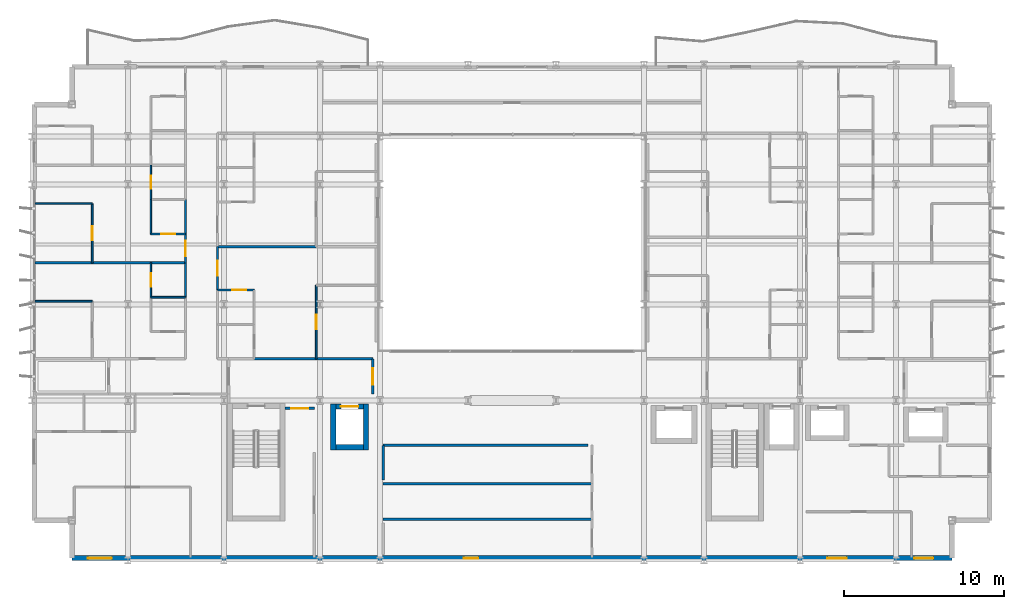
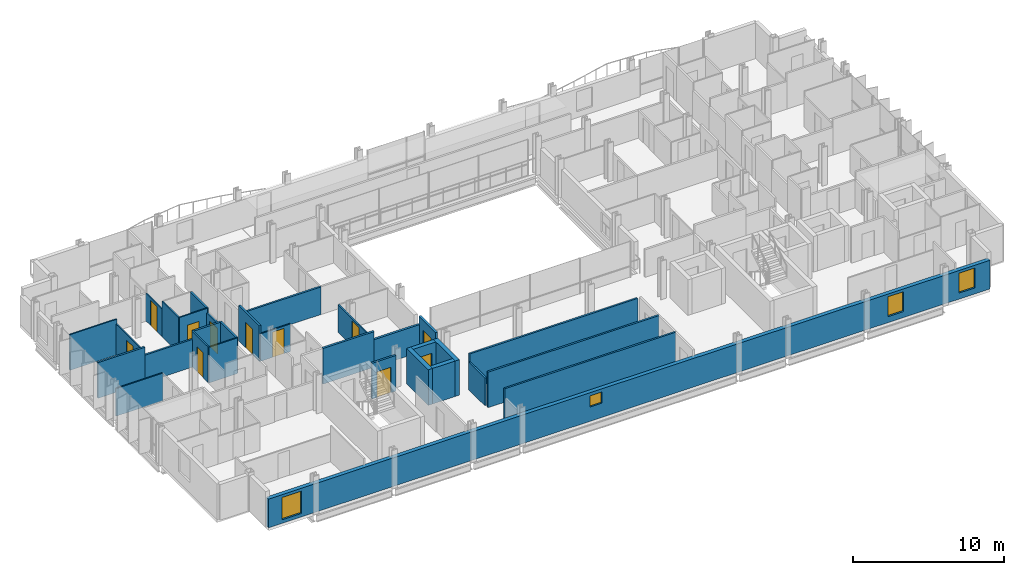
# One storey, part 28 of 39: 31 walls, 11 doors, 4 windows, 15 openings.
"""IFC4 building model written with IfcOpenShell, lengths in metres."""

from ifc_helpers import new_model, si_unit, direction, frame, frame_2d, origin, place, context, subcontext, project, spatial, rectangle, extrude, material, layer, layer_set, type_object, element, fill, save


model = new_model("IFC4")

# Units and contexts
model_context = context("Model", 3, precision=1e-05, world=origin(), true_north=direction((0.0, 1.0)))
body_context = subcontext(model_context, "Body", "Model", "MODEL_VIEW")
ifc_project = project(units=[si_unit("LENGTHUNIT", "METRE"), si_unit("AREAUNIT", "SQUARE_METRE"), si_unit("VOLUMEUNIT", "CUBIC_METRE"), si_unit("PLANEANGLEUNIT", "RADIAN"), si_unit("MASSUNIT", "GRAM", prefix="KILO")], contexts=[model_context])

# Site, building, storey
site_placement = place(None, origin())
site = spatial("IfcSite", under=ifc_project, at=site_placement, CompositionType="ELEMENT")
building_placement = place(site_placement, origin())
building = spatial("IfcBuilding", under=site, at=building_placement, Name="Brevholm Reach", CompositionType="ELEMENT")
storey_placement = place(building_placement, frame((0.0, 0.0, 34.199951171875)))
storey = spatial("IfcBuildingStorey", under=building, at=storey_placement, Name="L08", CompositionType="ELEMENT", Elevation=34.199951171875)

# Walls
ifc_material_1 = material(Name="Concrete C60/75", Category="concrete")
ifc_layer_1 = layer(ifc_material_1, 0.320068359375)
ifc_layer_set_1 = layer_set([ifc_layer_1], Name="Concrete C60/75")
wall_type_1 = type_object("IfcWallType", Name="WAL-COR-320", PredefinedType="SHEAR", material=ifc_layer_set_1)
for number, where, z_axis, x_axis, name in (
    (1, (18.830078125, 6.919921875, 0.0), (0.0, 0.0, 1.0), (0.0, 1.0, 0.0), "L08 Lift FFL-1 Shaft Wall W"),
    (2, (20.8701171875, 6.919921875, 0.0), (0.0, 0.0, 1.0), (0.0, 1.0, 0.0), "L08 Lift FFL-1 Shaft Wall E"),
):
    element("IfcWall", number, at=place(storey_placement, frame(where, z_axis=z_axis, x_axis=x_axis)), inside=storey, type_object=wall_type_1, Name=name, PredefinedType="SHEAR", context=body_context, shape_type="SweptSolid", body=[
        extrude(rectangle(XDim=2.860107421875, YDim=0.320068359375, at=frame_2d((1.43017578125, 0.0))), origin(), (0.0, 0.0, 1.0), 2.8701171875),
    ])
wall_1_placement = place(storey_placement, frame((18.989990234375, 7.080078125, 0.0), z_axis=(0.0, 0.0, 1.0), x_axis=(1.0, 0.0, 0.0)))
element("IfcWall", 3, at=wall_1_placement, inside=storey, type_object=wall_type_1, Name="L08 Lift FFL-1 Shaft Wall S", PredefinedType="SHEAR", context=body_context, shape_type="SweptSolid", body=[
    extrude(rectangle(XDim=1.719970703125, YDim=0.320068359375, at=frame_2d((0.85986328125, 0.0))), origin(), (0.0, 0.0, 1.0), 2.8701171875),
])

# Wall, opening, door
wall_2_placement = place(storey_placement, frame((18.989990234375, 9.6201171875, 0.0), z_axis=(0.0, 0.0, 1.0), x_axis=(1.0, 0.0, 0.0)))
wall_2 = element("IfcWall", 4, at=wall_2_placement, inside=storey, type_object=wall_type_1, Name="L08 Lift FFL-1 Shaft Wall N", PredefinedType="SHEAR", context=body_context, shape_type="SweptSolid", body=[
    extrude(rectangle(XDim=1.719970703125, YDim=0.320068359375, at=frame_2d((0.85986328125, 0.0))), origin(), (0.0, 0.0, 1.0), 2.8701171875),
])
opening_1_placement = place(wall_2_placement, frame((0.31005859375, 0.0, 0.0)))
opening_1 = element("IfcOpeningElement", 5, at=opening_1_placement, cuts=wall_2, Name="Opening LD-FFL-1", PredefinedType="OPENING", context=body_context, shape_type="SweptSolid", body=[
    extrude(rectangle(XDim=1.10009765625, YDim=2.06005859375, at=frame_2d((0.550048828125, 1.030029296875))), frame((0.0, 0.169921875, 0.0), z_axis=(0.0, -1.0, 0.0), x_axis=(1.0, 0.0, 0.0)), (0.0, 0.0, 1.0), 0.340087890625),
])
ifc_material_2 = material(Name="Brushed Stainless Steel Fire-Rated Sliding Lift Door", Category="steel")
door_type_1 = type_object("IfcDoorType", Name="DOR-LFT-1100", OperationType="NOTDEFINED", PredefinedType="DOOR", material=ifc_material_2)
door_1_placement = place(opening_1_placement, origin())
door_1 = element("IfcDoor", 6, at=door_1_placement, inside=storey, type_object=door_type_1, Name="L08 Lift FFL-1 Sliding Landing Door", OperationType="SLIDING_TO_RIGHT", OverallHeight=2.06005859375, OverallWidth=1.10009765625, PredefinedType="DOOR", context=body_context, shape_type="SweptSolid", body=[
    extrude(rectangle(XDim=1.10009765625, YDim=2.06005859375, at=frame_2d((0.550048828125, 1.030029296875))), frame((0.0, 0.02490234375, 0.0), z_axis=(0.0, -1.0, 0.0), x_axis=(1.0, 0.0, 0.0)), (0.0, 0.0, 1.0), 0.050048828125),
])
fill(opening_1, door_1)

# Wall, openings, windows
ifc_material_3 = material(Name="Concrete C40/50", Category="concrete")
ifc_layer_2 = layer(ifc_material_3, 0.300048828125)
ifc_layer_set_2 = layer_set([ifc_layer_2], Name="Concrete C40/50")
wall_type_2 = type_object("IfcWallType", Name="WAL-EXT-300", PredefinedType="STANDARD", material=ifc_layer_set_2)
wall_3_placement = place(storey_placement, frame((2.5, 0.14990234375, 0.0), z_axis=(0.0, 0.0, 1.0), x_axis=(1.0, 0.0, 0.0)))
wall_3 = element("IfcWall", 7, at=wall_3_placement, inside=storey, type_object=wall_type_2, Name="L08 Facade Wall WAL-L08-S", PredefinedType="STANDARD", context=body_context, shape_type="SweptSolid", body=[
    extrude(rectangle(XDim=55.0, YDim=0.300048828125, at=frame_2d((27.5, 0.0))), origin(), (0.0, 0.0, 1.0), 2.3056640625),
])
opening_2_placement = place(wall_3_placement, frame((1.0, 0.0, 0.284912109375)))
opening_2 = element("IfcOpeningElement", 8, at=opening_2_placement, cuts=wall_3, Name="Opening WN-05", PredefinedType="OPENING", context=body_context, shape_type="SweptSolid", body=[
    extrude(rectangle(XDim=1.5, YDim=1.800048828125, at=frame_2d((0.75, 0.89990234375))), frame((0.0, 0.159912109375, 0.0), z_axis=(0.0, -1.0, 0.0), x_axis=(1.0, 0.0, 0.0)), (0.0, 0.0, 1.0), 0.320068359375),
])
opening_3_placement = place(wall_3_placement, frame((24.5, 0.0, 1.14990234375)))
opening_3 = element("IfcOpeningElement", 9, at=opening_3_placement, cuts=wall_3, Name="Opening WN-09", PredefinedType="OPENING", context=body_context, shape_type="SweptSolid", body=[
    extrude(rectangle(XDim=0.89990234375, YDim=0.89990234375, at=frame_2d((0.449951171875, 0.449951171875))), frame((0.0, 0.159912109375, 0.0), z_axis=(0.0, -1.0, 0.0), x_axis=(1.0, 0.0, 0.0)), (0.0, 0.0, 1.0), 0.320068359375),
])
opening_4_placement = place(wall_3_placement, frame((47.199951171875, 0.0, 0.485107421875)))
opening_4 = element("IfcOpeningElement", 10, at=opening_4_placement, cuts=wall_3, Name="Opening WN-08", PredefinedType="OPENING", context=body_context, shape_type="SweptSolid", body=[
    extrude(rectangle(XDim=1.199951171875, YDim=1.60009765625, at=frame_2d((0.60009765625, 0.800048828125))), frame((0.0, 0.159912109375, 0.0), z_axis=(0.0, -1.0, 0.0), x_axis=(1.0, 0.0, 0.0)), (0.0, 0.0, 1.0), 0.320068359375),
])
opening_5_placement = place(wall_3_placement, frame((52.6298828125, 0.0, 0.485107421875)))
opening_5 = element("IfcOpeningElement", 11, at=opening_5_placement, cuts=wall_3, Name="Opening WN-08", PredefinedType="OPENING", context=body_context, shape_type="SweptSolid", body=[
    extrude(rectangle(XDim=1.199951171875, YDim=1.60009765625, at=frame_2d((0.60009765625, 0.800048828125))), frame((0.0, 0.159912109375, 0.0), z_axis=(0.0, -1.0, 0.0), x_axis=(1.0, 0.0, 0.0)), (0.0, 0.0, 1.0), 0.320068359375),
])
ifc_material_4 = material(Name="Dark Anodised Aluminium and Solar-Control IGU Glass", Category="aluminium")
window_type_1 = type_object("IfcWindowType", Name="WIN-POR-0900", PartitioningType="SINGLE_PANEL", PredefinedType="WINDOW", material=ifc_material_4)
window_1_placement = place(opening_3_placement, origin())
window_1 = element("IfcWindow", 12, at=window_1_placement, inside=storey, type_object=window_type_1, Name="L08 Window WIN-L08-S-POR", OverallHeight=0.89990234375, OverallWidth=0.89990234375, PartitioningType="SINGLE_PANEL", PredefinedType="WINDOW", context=body_context, shape_type="SweptSolid", body=[
    extrude(rectangle(XDim=0.89990234375, YDim=0.89990234375, at=frame_2d((0.449951171875, 0.449951171875))), frame((0.0, 0.030029296875, 0.0), z_axis=(0.0, -1.0, 0.0), x_axis=(1.0, 0.0, 0.0)), (0.0, 0.0, 1.0), 0.06005859375),
])
fill(opening_3, window_1)
ifc_material_5 = material(Name="Dark Anodised Aluminium and Solar-Control IGU Glass", Category="aluminium")
window_type_2 = type_object("IfcWindowType", Name="WIN-RES-1200", PartitioningType="SINGLE_PANEL", PredefinedType="WINDOW", material=ifc_material_5)
window_2_placement = place(opening_4_placement, origin())
window_2 = element("IfcWindow", 13, at=window_2_placement, inside=storey, type_object=window_type_2, Name="L08 Window WIN-L08-S-E1", OverallHeight=1.60009765625, OverallWidth=1.199951171875, PartitioningType="SINGLE_PANEL", PredefinedType="WINDOW", context=body_context, shape_type="SweptSolid", body=[
    extrude(rectangle(XDim=1.199951171875, YDim=1.60009765625, at=frame_2d((0.60009765625, 0.800048828125))), frame((0.0, 0.030029296875, 0.0), z_axis=(0.0, -1.0, 0.0), x_axis=(1.0, 0.0, 0.0)), (0.0, 0.0, 1.0), 0.06005859375),
])
fill(opening_4, window_2)
window_3_placement = place(opening_5_placement, origin())
window_3 = element("IfcWindow", 14, at=window_3_placement, inside=storey, type_object=window_type_2, Name="L08 Window WIN-L08-S-E2", OverallHeight=1.60009765625, OverallWidth=1.199951171875, PartitioningType="SINGLE_PANEL", PredefinedType="WINDOW", context=body_context, shape_type="SweptSolid", body=[
    extrude(rectangle(XDim=1.199951171875, YDim=1.60009765625, at=frame_2d((0.60009765625, 0.800048828125))), frame((0.0, 0.030029296875, 0.0), z_axis=(0.0, -1.0, 0.0), x_axis=(1.0, 0.0, 0.0)), (0.0, 0.0, 1.0), 0.06005859375),
])
fill(opening_5, window_3)
ifc_material_6 = material(Name="Dark Anodised Aluminium and Solar-Control IGU Glass", Category="aluminium")
window_type_3 = type_object("IfcWindowType", Name="WIN-RES-1500", PartitioningType="SINGLE_PANEL", PredefinedType="WINDOW", material=ifc_material_6)
window_4_placement = place(opening_2_placement, origin())
window_4 = element("IfcWindow", 15, at=window_4_placement, inside=storey, type_object=window_type_3, Name="L08 Window WIN-L08-S-W1", OverallHeight=1.800048828125, OverallWidth=1.5, PartitioningType="SINGLE_PANEL", PredefinedType="WINDOW", context=body_context, shape_type="SweptSolid", body=[
    extrude(rectangle(XDim=1.5, YDim=1.800048828125, at=frame_2d((0.75, 0.89990234375))), frame((0.0, 0.030029296875, 0.0), z_axis=(0.0, -1.0, 0.0), x_axis=(1.0, 0.0, 0.0)), (0.0, 0.0, 1.0), 0.06005859375),
])
fill(opening_2, window_4)

# Wall
ifc_material_7 = material(Name="Moisture-Resistant Acoustic Gypsum Stud Partition 100 mm", Category="gypsum")
ifc_layer_3 = layer(ifc_material_7, 0.10009765625)
ifc_layer_set_3 = layer_set([ifc_layer_3], Name="Moisture-Resistant Acoustic Gypsum Stud Partition 100 mm")
wall_type_3 = type_object("IfcWallType", Name="WAL-PRT-100", PredefinedType="PARTITIONING", material=ifc_layer_set_3)
wall_4_placement = place(storey_placement, frame((7.43798828125, 16.449951171875, 0.0), z_axis=(0.0, 0.0, 1.0), x_axis=(1.0, 0.0, 0.0)))
element("IfcWall", 16, at=wall_4_placement, inside=storey, type_object=wall_type_3, Name="L08 Internal Partition 086", PredefinedType="PARTITIONING", context=body_context, shape_type="SweptSolid", body=[
    extrude(rectangle(XDim=2.157958984375, YDim=0.10009765625, at=frame_2d((1.0791015625, 0.0))), origin(), (0.0, 0.0, 1.0), 2.8701171875),
])

# Wall, opening, door
wall_5_placement = place(storey_placement, frame((7.43798828125, 16.449951171875, 0.0), z_axis=(0.0, 0.0, 1.0), x_axis=(0.0, 1.0, 0.0)))
wall_5 = element("IfcWall", 17, at=wall_5_placement, inside=storey, type_object=wall_type_3, Name="L08 Internal Partition 087", PredefinedType="PARTITIONING", context=body_context, shape_type="SweptSolid", body=[
    extrude(rectangle(XDim=2.150146484375, YDim=0.10009765625, at=frame_2d((1.0751953125, 0.0))), origin(), (0.0, 0.0, 1.0), 2.8701171875),
])
opening_6_placement = place(wall_5_placement, frame((0.6650390625, 0.0, 0.0)))
opening_6 = element("IfcOpeningElement", 18, at=opening_6_placement, cuts=wall_5, Name="Opening ID-03", PredefinedType="OPENING", context=body_context, shape_type="SweptSolid", body=[
    extrude(rectangle(XDim=0.820068359375, YDim=2.02001953125, at=frame_2d((0.41015625, 1.010009765625))), frame((0.0, 0.06005859375, 0.0), z_axis=(0.0, -1.0, 0.0), x_axis=(1.0, 0.0, 0.0)), (0.0, 0.0, 1.0), 0.1201171875),
])
ifc_material_8 = material(Name="Moisture-Resistant Painted Timber Internal Bathroom Door", Category="wood")
door_type_2 = type_object("IfcDoorType", Name="DOR-BATH-820", OperationType="NOTDEFINED", PredefinedType="DOOR", material=ifc_material_8)
door_2_placement = place(opening_6_placement, origin())
door_2 = element("IfcDoor", 19, at=door_2_placement, inside=storey, type_object=door_type_2, Name="L08 Internal Door 031", OperationType="SINGLE_SWING_LEFT", OverallHeight=2.02001953125, OverallWidth=0.820068359375, PredefinedType="DOOR", context=body_context, shape_type="SweptSolid", body=[
    extrude(rectangle(XDim=0.820068359375, YDim=2.02001953125, at=frame_2d((0.41015625, 1.010009765625))), frame((0.0, 0.02490234375, 0.0), z_axis=(0.0, -1.0, 0.0), x_axis=(1.0, 0.0, 0.0)), (0.0, 0.0, 1.0), 0.050048828125),
])
fill(opening_6, door_2)

# Wall
wall_6_placement = place(storey_placement, frame((0.199951171875, 16.199951171875, 0.0), z_axis=(0.0, 0.0, 1.0), x_axis=(1.0, 0.0, 0.0)))
element("IfcWall", 20, at=wall_6_placement, inside=storey, type_object=wall_type_3, Name="L08 Internal Partition 092", PredefinedType="PARTITIONING", context=body_context, shape_type="SweptSolid", body=[
    extrude(rectangle(XDim=3.572021484375, YDim=0.10009765625, at=frame_2d((1.7861328125, 0.0))), origin(), (0.0, 0.0, 1.0), 2.224853515625),
])

# Wall, opening, door
wall_7_placement = place(storey_placement, frame((7.43798828125, 22.550048828125, 0.0), z_axis=(0.0, 0.0, 1.0), x_axis=(0.0, 1.0, 0.0)))
wall_7 = element("IfcWall", 21, at=wall_7_placement, inside=storey, type_object=wall_type_3, Name="L08 Internal Partition 096", PredefinedType="PARTITIONING", context=body_context, shape_type="SweptSolid", body=[
    extrude(rectangle(XDim=2.14990234375, YDim=0.10009765625, at=frame_2d((1.074951171875, 0.0))), origin(), (0.0, 0.0, 1.0), 2.224853515625),
])
opening_7_placement = place(wall_7_placement, frame((0.6650390625, 0.0, 0.0)))
opening_7 = element("IfcOpeningElement", 22, at=opening_7_placement, cuts=wall_7, Name="Opening ID-03", PredefinedType="OPENING", context=body_context, shape_type="SweptSolid", body=[
    extrude(rectangle(XDim=0.820068359375, YDim=2.02001953125, at=frame_2d((0.41015625, 1.010009765625))), frame((0.0, 0.06005859375, 0.0), z_axis=(0.0, -1.0, 0.0), x_axis=(1.0, 0.0, 0.0)), (0.0, 0.0, 1.0), 0.1201171875),
])
door_3_placement = place(opening_7_placement, origin())
door_3 = element("IfcDoor", 23, at=door_3_placement, inside=storey, type_object=door_type_2, Name="L08 Internal Door 034", OperationType="SINGLE_SWING_RIGHT", OverallHeight=2.02001953125, OverallWidth=0.820068359375, PredefinedType="DOOR", context=body_context, shape_type="SweptSolid", body=[
    extrude(rectangle(XDim=0.820068359375, YDim=2.02001953125, at=frame_2d((0.41015625, 1.010009765625))), frame((0.0, 0.02490234375, 0.0), z_axis=(0.0, -1.0, 0.0), x_axis=(1.0, 0.0, 0.0)), (0.0, 0.0, 1.0), 0.050048828125),
])
fill(opening_7, door_3)

wall_8_placement = place(storey_placement, frame((7.43798828125, 20.39990234375, 0.0), z_axis=(0.0, 0.0, 1.0), x_axis=(1.0, 0.0, 0.0)))
wall_8 = element("IfcWall", 24, at=wall_8_placement, inside=storey, type_object=wall_type_3, Name="L08 Internal Partition 098", PredefinedType="PARTITIONING", context=body_context, shape_type="SweptSolid", body=[
    extrude(rectangle(XDim=2.157958984375, YDim=0.10009765625, at=frame_2d((1.0791015625, 0.0))), origin(), (0.0, 0.0, 1.0), 2.8701171875),
])
opening_8_placement = place(wall_8_placement, frame((0.638916015625, 0.0, 0.0)))
opening_8 = element("IfcOpeningElement", 25, at=opening_8_placement, cuts=wall_8, Name="Opening ID-01", PredefinedType="OPENING", context=body_context, shape_type="SweptSolid", body=[
    extrude(rectangle(XDim=0.8798828125, YDim=2.0400390625, at=frame_2d((0.43994140625, 1.02001953125))), frame((0.0, 0.06005859375, 0.0), z_axis=(0.0, -1.0, 0.0), x_axis=(1.0, 0.0, 0.0)), (0.0, 0.0, 1.0), 0.1201171875),
])
ifc_material_9 = material(Name="Lacquered Ash Solid-Core Acoustic Internal Door", Category="timber")
door_type_3 = type_object("IfcDoorType", Name="DOR-INT-880", OperationType="NOTDEFINED", PredefinedType="DOOR", material=ifc_material_9)
door_4_placement = place(opening_8_placement, origin())
door_4 = element("IfcDoor", 26, at=door_4_placement, inside=storey, type_object=door_type_3, Name="L08 Internal Door 035", OperationType="SINGLE_SWING_LEFT", OverallHeight=2.0400390625, OverallWidth=0.8798828125, PredefinedType="DOOR", context=body_context, shape_type="SweptSolid", body=[
    extrude(rectangle(XDim=0.8798828125, YDim=2.0400390625, at=frame_2d((0.43994140625, 1.02001953125))), frame((0.0, 0.02490234375, 0.0), z_axis=(0.0, -1.0, 0.0), x_axis=(1.0, 0.0, 0.0)), (0.0, 0.0, 1.0), 0.050048828125),
])
fill(opening_8, door_4)

# Wall
wall_9_placement = place(storey_placement, frame((7.43798828125, 20.39990234375, 0.0), z_axis=(0.0, 0.0, 1.0), x_axis=(0.0, 1.0, 0.0)))
element("IfcWall", 27, at=wall_9_placement, inside=storey, type_object=wall_type_3, Name="L08 Internal Partition 099", PredefinedType="PARTITIONING", context=body_context, shape_type="SweptSolid", body=[
    extrude(rectangle(XDim=2.14599609375, YDim=0.10009765625, at=frame_2d((1.072998046875, 0.0))), origin(), (0.0, 0.0, 1.0), 2.8701171875),
])

# Wall, opening, door
wall_10_placement = place(storey_placement, frame((3.77197265625, 18.60400390625, 0.0), z_axis=(0.0, 0.0, 1.0), x_axis=(0.0, 1.0, 0.0)))
wall_10 = element("IfcWall", 28, at=wall_10_placement, inside=storey, type_object=wall_type_3, Name="L08 Internal Partition 100", PredefinedType="PARTITIONING", context=body_context, shape_type="SweptSolid", body=[
    extrude(rectangle(XDim=3.696044921875, YDim=0.10009765625, at=frame_2d((1.84814453125, 0.0))), origin(), (0.0, 0.0, 1.0), 2.489990234375),
])
opening_9_placement = place(wall_10_placement, frame((1.407958984375, 0.0, 0.0)))
opening_9 = element("IfcOpeningElement", 29, at=opening_9_placement, cuts=wall_10, Name="Opening ID-01", PredefinedType="OPENING", context=body_context, shape_type="SweptSolid", body=[
    extrude(rectangle(XDim=0.8798828125, YDim=2.0400390625, at=frame_2d((0.43994140625, 1.02001953125))), frame((0.0, 0.06005859375, 0.0), z_axis=(0.0, -1.0, 0.0), x_axis=(1.0, 0.0, 0.0)), (0.0, 0.0, 1.0), 0.1201171875),
])
door_5_placement = place(opening_9_placement, origin())
door_5 = element("IfcDoor", 30, at=door_5_placement, inside=storey, type_object=door_type_3, Name="L08 Internal Door 036", OperationType="SINGLE_SWING_RIGHT", OverallHeight=2.0400390625, OverallWidth=0.8798828125, PredefinedType="DOOR", context=body_context, shape_type="SweptSolid", body=[
    extrude(rectangle(XDim=0.8798828125, YDim=2.0400390625, at=frame_2d((0.43994140625, 1.02001953125))), frame((0.0, 0.02490234375, 0.0), z_axis=(0.0, -1.0, 0.0), x_axis=(1.0, 0.0, 0.0)), (0.0, 0.0, 1.0), 0.050048828125),
])
fill(opening_9, door_5)

# Wall
wall_11_placement = place(storey_placement, frame((0.199951171875, 22.300048828125, 0.0), z_axis=(0.0, 0.0, 1.0), x_axis=(1.0, 0.0, 0.0)))
element("IfcWall", 31, at=wall_11_placement, inside=storey, type_object=wall_type_3, Name="L08 Internal Partition 101", PredefinedType="PARTITIONING", context=body_context, shape_type="SweptSolid", body=[
    extrude(rectangle(XDim=3.572021484375, YDim=0.10009765625, at=frame_2d((1.7861328125, 0.0))), origin(), (0.0, 0.0, 1.0), 2.8701171875),
])

# Wall, opening, door
wall_12_placement = place(storey_placement, frame((11.60400390625, 16.89990234375, 0.0), z_axis=(0.0, 0.0, 1.0), x_axis=(1.0, 0.0, 0.0)))
wall_12 = element("IfcWall", 32, at=wall_12_placement, inside=storey, type_object=wall_type_3, Name="L08 Internal Partition 113", PredefinedType="PARTITIONING", context=body_context, shape_type="SweptSolid", body=[
    extrude(rectangle(XDim=2.284912109375, YDim=0.10009765625, at=frame_2d((1.142578125, 0.0))), origin(), (0.0, 0.0, 1.0), 2.224853515625),
])
opening_10_placement = place(wall_12_placement, frame((0.922607421875, 0.0, 0.0)))
opening_10 = element("IfcOpeningElement", 33, at=opening_10_placement, cuts=wall_12, Name="Opening ID-01", PredefinedType="OPENING", context=body_context, shape_type="SweptSolid", body=[
    extrude(rectangle(XDim=0.8798828125, YDim=2.0400390625, at=frame_2d((0.43994140625, 1.02001953125))), frame((0.0, 0.06005859375, 0.0), z_axis=(0.0, -1.0, 0.0), x_axis=(1.0, 0.0, 0.0)), (0.0, 0.0, 1.0), 0.1201171875),
])
door_6_placement = place(opening_10_placement, origin())
door_6 = element("IfcDoor", 34, at=door_6_placement, inside=storey, type_object=door_type_3, Name="L08 Internal Door 041", OperationType="SINGLE_SWING_LEFT", OverallHeight=2.0400390625, OverallWidth=0.8798828125, PredefinedType="DOOR", context=body_context, shape_type="SweptSolid", body=[
    extrude(rectangle(XDim=0.8798828125, YDim=2.0400390625, at=frame_2d((0.43994140625, 1.02001953125))), frame((0.0, 0.02490234375, 0.0), z_axis=(0.0, -1.0, 0.0), x_axis=(1.0, 0.0, 0.0)), (0.0, 0.0, 1.0), 0.050048828125),
])
fill(opening_10, door_6)

wall_13_placement = place(storey_placement, frame((17.76904296875, 12.60400390625, 0.0), z_axis=(0.0, 0.0, 1.0), x_axis=(0.0, 1.0, 0.0)))
wall_13 = element("IfcWall", 35, at=wall_13_placement, inside=storey, type_object=wall_type_3, Name="L08 Internal Partition 115", PredefinedType="PARTITIONING", context=body_context, shape_type="SweptSolid", body=[
    extrude(rectangle(XDim=4.595947265625, YDim=0.10009765625, at=frame_2d((2.2978515625, 0.0))), origin(), (0.0, 0.0, 1.0), 2.224853515625),
])
opening_11_placement = place(wall_13_placement, frame((1.85791015625, 0.0, 0.0)))
opening_11 = element("IfcOpeningElement", 36, at=opening_11_placement, cuts=wall_13, Name="Opening ID-01", PredefinedType="OPENING", context=body_context, shape_type="SweptSolid", body=[
    extrude(rectangle(XDim=0.8798828125, YDim=2.0400390625, at=frame_2d((0.43994140625, 1.02001953125))), frame((0.0, 0.06005859375, 0.0), z_axis=(0.0, -1.0, 0.0), x_axis=(1.0, 0.0, 0.0)), (0.0, 0.0, 1.0), 0.1201171875),
])
door_7_placement = place(opening_11_placement, origin())
door_7 = element("IfcDoor", 37, at=door_7_placement, inside=storey, type_object=door_type_3, Name="L08 Internal Door 042", OperationType="SINGLE_SWING_RIGHT", OverallHeight=2.0400390625, OverallWidth=0.8798828125, PredefinedType="DOOR", context=body_context, shape_type="SweptSolid", body=[
    extrude(rectangle(XDim=0.8798828125, YDim=2.0400390625, at=frame_2d((0.43994140625, 1.02001953125))), frame((0.0, 0.02490234375, 0.0), z_axis=(0.0, -1.0, 0.0), x_axis=(1.0, 0.0, 0.0)), (0.0, 0.0, 1.0), 0.050048828125),
])
fill(opening_11, door_7)

# Walls
ifc_material_10 = material(Name="Twin-Stud Acoustic Fire-Rated Gypsum Partition 140 mm", Category="gypsum")
ifc_layer_4 = layer(ifc_material_10, 0.139892578125)
ifc_layer_set_4 = layer_set([ifc_layer_4], Name="Twin-Stud Acoustic Fire-Rated Gypsum Partition 140 mm")
wall_type_4 = type_object("IfcWallType", Name="WAL-PRT-140", PredefinedType="PARTITIONING", material=ifc_layer_set_4)
for number, where, z_axis, x_axis, name in (
    (38, (21.949951171875, 2.576904296875, 0.0), (0.0, 0.0, 1.0), (1.0, 0.0, 0.0), "L08 Internal Partition 004"),
    (39, (21.949951171875, 4.7890625, 0.0), (0.0, 0.0, 1.0), (1.0, 0.0, 0.0), "L08 Internal Partition 005"),
):
    element("IfcWall", number, at=place(storey_placement, frame(where, z_axis=z_axis, x_axis=x_axis)), inside=storey, type_object=wall_type_4, Name=name, PredefinedType="PARTITIONING", context=body_context, shape_type="SweptSolid", body=[
        extrude(rectangle(XDim=13.046142578125, YDim=0.139892578125, at=frame_2d((6.52294921875, 0.0))), origin(), (0.0, 0.0, 1.0), 2.8701171875),
    ])
wall_14_placement = place(storey_placement, frame((9.60009765625, 16.438720703125, 0.0), z_axis=(0.0, 0.0, 1.0), x_axis=(0.0, 1.0, 0.0)))
element("IfcWall", 40, at=wall_14_placement, inside=storey, type_object=wall_type_4, Name="L08 Internal Partition 030", PredefinedType="PARTITIONING", context=body_context, shape_type="SweptSolid", body=[
    extrude(rectangle(XDim=2.172607421875, YDim=0.139892578125, at=frame_2d((1.08642578125, 0.0))), origin(), (0.0, 0.0, 1.0), 2.8701171875),
])
wall_15_placement = place(storey_placement, frame((9.60009765625, 20.388671875, 0.0), z_axis=(0.0, 0.0, 1.0), x_axis=(0.0, 1.0, 0.0)))
element("IfcWall", 41, at=wall_15_placement, inside=storey, type_object=wall_type_4, Name="L08 Internal Partition 034", PredefinedType="PARTITIONING", context=body_context, shape_type="SweptSolid", body=[
    extrude(rectangle(XDim=2.168701171875, YDim=0.139892578125, at=frame_2d((1.08447265625, 0.0))), origin(), (0.0, 0.0, 1.0), 2.8701171875),
])

# Wall, opening, door
wall_16_placement = place(storey_placement, frame((9.60009765625, 18.5927734375, 0.0), z_axis=(0.0, 0.0, 1.0), x_axis=(0.0, 1.0, 0.0)))
wall_16 = element("IfcWall", 42, at=wall_16_placement, inside=storey, type_object=wall_type_4, Name="L08 Internal Partition 035", PredefinedType="PARTITIONING", context=body_context, shape_type="SweptSolid", body=[
    extrude(rectangle(XDim=1.814453125, YDim=0.139892578125, at=frame_2d((0.9072265625, 0.0))), origin(), (0.0, 0.0, 1.0), 2.489990234375),
])
opening_12_placement = place(wall_16_placement, frame((0.432373046875, 0.0, 0.0)))
opening_12 = element("IfcOpeningElement", 43, at=opening_12_placement, cuts=wall_16, Name="Opening ID-30", PredefinedType="OPENING", context=body_context, shape_type="SweptSolid", body=[
    extrude(rectangle(XDim=0.949951171875, YDim=2.050048828125, at=frame_2d((0.47509765625, 1.02490234375))), frame((0.0, 0.079833984375, 0.0), z_axis=(0.0, -1.0, 0.0), x_axis=(1.0, 0.0, 0.0)), (0.0, 0.0, 1.0), 0.159912109375),
])
ifc_material_11 = material(Name="European Oak Veneered Solid-Core Fire Entrance Door", Category="timber")
door_type_4 = type_object("IfcDoorType", Name="DOR-FLT-FD30S", OperationType="NOTDEFINED", PredefinedType="DOOR", material=ifc_material_11)
door_8_placement = place(opening_12_placement, origin())
door_8 = element("IfcDoor", 44, at=door_8_placement, inside=storey, type_object=door_type_4, Name="L08 Internal Door 016", OperationType="SINGLE_SWING_RIGHT", OverallHeight=2.050048828125, OverallWidth=0.949951171875, PredefinedType="DOOR", context=body_context, shape_type="SweptSolid", body=[
    extrude(rectangle(XDim=0.949951171875, YDim=2.050048828125, at=frame_2d((0.47509765625, 1.02490234375))), frame((0.0, 0.02490234375, 0.0), z_axis=(0.0, -1.0, 0.0), x_axis=(1.0, 0.0, 0.0)), (0.0, 0.0, 1.0), 0.050048828125),
])
fill(opening_12, door_8)

wall_17_placement = place(storey_placement, frame((11.60009765625, 16.892578125, 0.0), z_axis=(0.0, 0.0, 1.0), x_axis=(0.0, 1.0, 0.0)))
wall_17 = element("IfcWall", 45, at=wall_17_placement, inside=storey, type_object=wall_type_4, Name="L08 Internal Partition 041", PredefinedType="PARTITIONING", context=body_context, shape_type="SweptSolid", body=[
    extrude(rectangle(XDim=2.71875, YDim=0.139892578125, at=frame_2d((1.359375, 0.0))), origin(), (0.0, 0.0, 1.0), 2.8701171875),
])
opening_13_placement = place(wall_17_placement, frame((0.88427734375, 0.0, 0.0)))
opening_13 = element("IfcOpeningElement", 46, at=opening_13_placement, cuts=wall_17, Name="Opening ID-30", PredefinedType="OPENING", context=body_context, shape_type="SweptSolid", body=[
    extrude(rectangle(XDim=0.949951171875, YDim=2.050048828125, at=frame_2d((0.47509765625, 1.02490234375))), frame((0.0, 0.079833984375, 0.0), z_axis=(0.0, -1.0, 0.0), x_axis=(1.0, 0.0, 0.0)), (0.0, 0.0, 1.0), 0.159912109375),
])
door_9_placement = place(opening_13_placement, origin())
door_9 = element("IfcDoor", 47, at=door_9_placement, inside=storey, type_object=door_type_4, Name="L08 Internal Door 018", OperationType="SINGLE_SWING_RIGHT", OverallHeight=2.050048828125, OverallWidth=0.949951171875, PredefinedType="DOOR", context=body_context, shape_type="SweptSolid", body=[
    extrude(rectangle(XDim=0.949951171875, YDim=2.050048828125, at=frame_2d((0.47509765625, 1.02490234375))), frame((0.0, 0.02490234375, 0.0), z_axis=(0.0, -1.0, 0.0), x_axis=(1.0, 0.0, 0.0)), (0.0, 0.0, 1.0), 0.050048828125),
])
fill(opening_13, door_9)

# Walls
wall_18_placement = place(storey_placement, frame((7.43798828125, 18.60009765625, 0.0), z_axis=(0.0, 0.0, 1.0), x_axis=(1.0, 0.0, 0.0)))
element("IfcWall", 48, at=wall_18_placement, inside=storey, type_object=wall_type_4, Name="L08 Internal Partition 088", PredefinedType="PARTITIONING", context=body_context, shape_type="SweptSolid", body=[
    extrude(rectangle(XDim=2.157958984375, YDim=0.139892578125, at=frame_2d((1.0791015625, 0.0))), origin(), (0.0, 0.0, 1.0), 2.8701171875),
])
wall_19_placement = place(storey_placement, frame((0.199951171875, 18.60009765625, 0.0), z_axis=(0.0, 0.0, 1.0), x_axis=(1.0, 0.0, 0.0)))
element("IfcWall", 49, at=wall_19_placement, inside=storey, type_object=wall_type_4, Name="L08 Internal Partition 093", PredefinedType="PARTITIONING", context=body_context, shape_type="SweptSolid", body=[
    extrude(rectangle(XDim=3.583251953125, YDim=0.139892578125, at=frame_2d((1.79150390625, 0.0))), origin(), (0.0, 0.0, 1.0), 2.8701171875),
])
wall_20_placement = place(storey_placement, frame((3.7646484375, 18.60009765625, 0.0), z_axis=(0.0, 0.0, 1.0), x_axis=(1.0, 0.0, 0.0)))
element("IfcWall", 50, at=wall_20_placement, inside=storey, type_object=wall_type_4, Name="L08 Internal Partition 094", PredefinedType="PARTITIONING", context=body_context, shape_type="SweptSolid", body=[
    extrude(rectangle(XDim=3.66943359375, YDim=0.139892578125, at=frame_2d((1.834716796875, 0.0))), origin(), (0.0, 0.0, 1.0), 2.224853515625),
])
wall_21_placement = place(storey_placement, frame((11.60400390625, 19.60009765625, 0.0), z_axis=(0.0, 0.0, 1.0), x_axis=(1.0, 0.0, 0.0)))
element("IfcWall", 51, at=wall_21_placement, inside=storey, type_object=wall_type_4, Name="L08 Internal Partition 117", PredefinedType="PARTITIONING", context=body_context, shape_type="SweptSolid", body=[
    extrude(rectangle(XDim=6.17236328125, YDim=0.139892578125, at=frame_2d((3.086181640625, 0.0))), origin(), (0.0, 0.0, 1.0), 2.224853515625),
])
wall_22_placement = place(storey_placement, frame((21.949951171875, 7.199951171875, 0.0), z_axis=(0.0, 0.0, 1.0), x_axis=(1.0, 0.0, 0.0)))
element("IfcWall", 52, at=wall_22_placement, inside=storey, type_object=wall_type_4, Name="L08 Internal Partition 163", PredefinedType="PARTITIONING", context=body_context, shape_type="SweptSolid", body=[
    extrude(rectangle(XDim=12.81005859375, YDim=0.139892578125, at=frame_2d((6.405029296875, 0.0))), origin(), (0.0, 0.0, 1.0), 2.8701171875),
])
wall_23_placement = place(storey_placement, frame((21.949951171875, 5.029052734375, 0.0), z_axis=(0.0, 0.0, 1.0), x_axis=(0.0, 1.0, 0.0)))
element("IfcWall", 53, at=wall_23_placement, inside=storey, type_object=wall_type_4, Name="L08 Internal Partition 164", PredefinedType="PARTITIONING", context=body_context, shape_type="SweptSolid", body=[
    extrude(rectangle(XDim=2.1708984375, YDim=0.139892578125, at=frame_2d((1.08544921875, 0.0))), origin(), (0.0, 0.0, 1.0), 2.224853515625),
])

# Wall, opening, door
ifc_material_12 = material(Name="Twin-Frame Fire-Rated Gypsum Board and Mineral Wool 160 mm", Category="gypsum")
ifc_layer_5 = layer(ifc_material_12, 0.159912109375)
ifc_layer_set_5 = layer_set([ifc_layer_5], Name="Twin-Frame Fire-Rated Gypsum Board and Mineral Wool 160 mm")
wall_type_5 = type_object("IfcWallType", Name="WAL-PRT-160", PredefinedType="PARTITIONING", material=ifc_layer_set_5)
wall_24_placement = place(storey_placement, frame((15.830078125, 9.5, 0.0), z_axis=(0.0, 0.0, 1.0), x_axis=(1.0, 0.0, 0.0)))
wall_24 = element("IfcWall", 54, at=wall_24_placement, inside=storey, type_object=wall_type_5, Name="L08 Internal Partition 007", PredefinedType="PARTITIONING", context=body_context, shape_type="SweptSolid", body=[
    extrude(rectangle(XDim=1.81982421875, YDim=0.159912109375, at=frame_2d((0.909912109375, 0.0))), origin(), (0.0, 0.0, 1.0), 2.8701171875),
])
opening_14_placement = place(wall_24_placement, frame((0.385009765625, 0.0, 0.0)))
opening_14 = element("IfcOpeningElement", 55, at=opening_14_placement, cuts=wall_24, Name="Opening FD-01", PredefinedType="OPENING", context=body_context, shape_type="SweptSolid", body=[
    extrude(rectangle(XDim=1.050048828125, YDim=2.06005859375, at=frame_2d((0.52490234375, 1.030029296875))), frame((0.0, 0.08984375, 0.0), z_axis=(0.0, -1.0, 0.0), x_axis=(1.0, 0.0, 0.0)), (0.0, 0.0, 1.0), 0.179931640625),
])
ifc_material_13 = material(Name="Hardwood-Lipped Steel-Core Fire and Smoke Door", Category="steel")
door_type_5 = type_object("IfcDoorType", Name="DOR-INT-FD60S", OperationType="NOTDEFINED", PredefinedType="DOOR", material=ifc_material_13)
door_10_placement = place(opening_14_placement, origin())
door_10 = element("IfcDoor", 56, at=door_10_placement, inside=storey, type_object=door_type_5, Name="L08 Internal Door 005", OperationType="SINGLE_SWING_LEFT", OverallHeight=2.06005859375, OverallWidth=1.050048828125, PredefinedType="DOOR", context=body_context, shape_type="SweptSolid", body=[
    extrude(rectangle(XDim=1.050048828125, YDim=2.06005859375, at=frame_2d((0.52490234375, 1.030029296875))), frame((0.0, 0.02490234375, 0.0), z_axis=(0.0, -1.0, 0.0), x_axis=(1.0, 0.0, 0.0)), (0.0, 0.0, 1.0), 0.050048828125),
])
fill(opening_14, door_10)

wall_25_placement = place(storey_placement, frame((21.300048828125, 10.388671875, 0.0), z_axis=(0.0, 0.0, 1.0), x_axis=(0.0, 1.0, 0.0)))
wall_25 = element("IfcWall", 57, at=wall_25_placement, inside=storey, type_object=wall_type_5, Name="L08 Internal Partition 013", PredefinedType="PARTITIONING", context=body_context, shape_type="SweptSolid", body=[
    extrude(rectangle(XDim=2.21142578125, YDim=0.159912109375, at=frame_2d((1.105712890625, 0.0))), origin(), (0.0, 0.0, 1.0), 2.8701171875),
])
opening_15_placement = place(wall_25_placement, frame((0.58056640625, 0.0, 0.0)))
opening_15 = element("IfcOpeningElement", 58, at=opening_15_placement, cuts=wall_25, Name="Opening FD-01", PredefinedType="OPENING", context=body_context, shape_type="SweptSolid", body=[
    extrude(rectangle(XDim=1.050048828125, YDim=2.06005859375, at=frame_2d((0.52490234375, 1.030029296875))), frame((0.0, 0.08984375, 0.0), z_axis=(0.0, -1.0, 0.0), x_axis=(1.0, 0.0, 0.0)), (0.0, 0.0, 1.0), 0.179931640625),
])
door_11_placement = place(opening_15_placement, origin())
door_11 = element("IfcDoor", 59, at=door_11_placement, inside=storey, type_object=door_type_5, Name="L08 Internal Door 010", OperationType="SINGLE_SWING_RIGHT", OverallHeight=2.06005859375, OverallWidth=1.050048828125, PredefinedType="DOOR", context=body_context, shape_type="SweptSolid", body=[
    extrude(rectangle(XDim=1.050048828125, YDim=2.06005859375, at=frame_2d((0.52490234375, 1.030029296875))), frame((0.0, 0.02490234375, 0.0), z_axis=(0.0, -1.0, 0.0), x_axis=(1.0, 0.0, 0.0)), (0.0, 0.0, 1.0), 0.050048828125),
])
fill(opening_15, door_11)

# Walls
wall_26_placement = place(storey_placement, frame((17.7578125, 12.60009765625, 0.0), z_axis=(0.0, 0.0, 1.0), x_axis=(1.0, 0.0, 0.0)))
element("IfcWall", 60, at=wall_26_placement, inside=storey, type_object=wall_type_5, Name="L08 Internal Partition 016", PredefinedType="PARTITIONING", context=body_context, shape_type="SweptSolid", body=[
    extrude(rectangle(XDim=3.542236328125, YDim=0.159912109375, at=frame_2d((1.77099609375, 0.0))), origin(), (0.0, 0.0, 1.0), 2.224853515625),
])
wall_27_placement = place(storey_placement, frame((13.881591796875, 12.60009765625, 0.0), z_axis=(0.0, 0.0, 1.0), x_axis=(1.0, 0.0, 0.0)))
element("IfcWall", 61, at=wall_27_placement, inside=storey, type_object=wall_type_5, Name="L08 Internal Partition 017", PredefinedType="PARTITIONING", context=body_context, shape_type="SweptSolid", body=[
    extrude(rectangle(XDim=3.894775390625, YDim=0.159912109375, at=frame_2d((1.947265625, 0.0))), origin(), (0.0, 0.0, 1.0), 2.8701171875),
])

save(model, "model.ifc")
